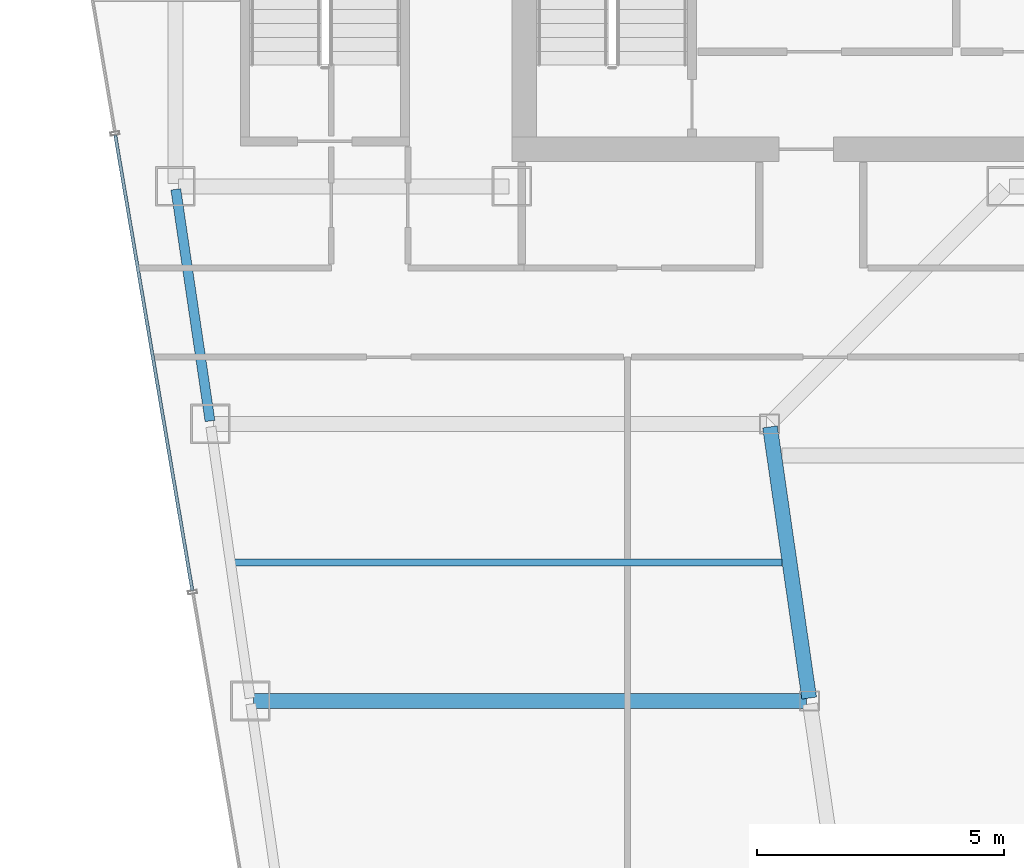
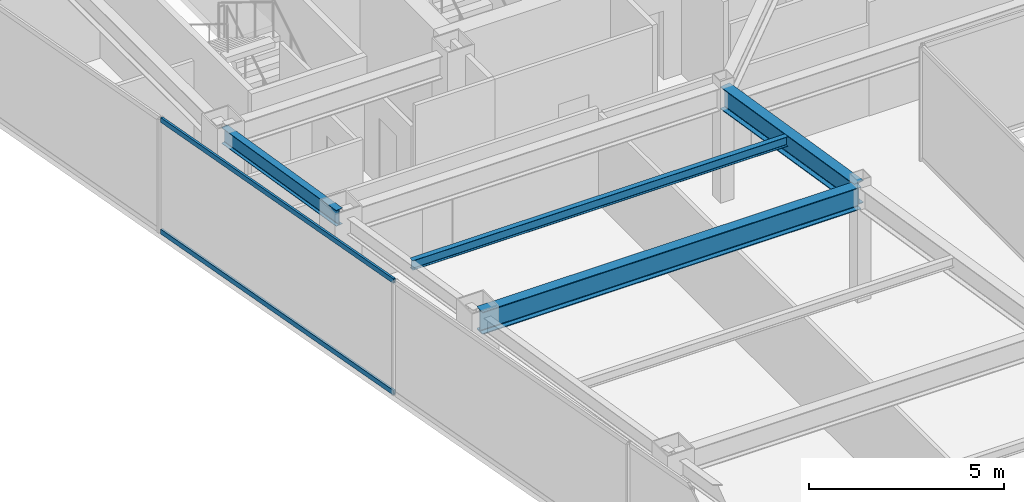
# One storey, part 10 of 35: 4 beams, 2 members, 1 element without a shape of its own.
"""IFC4 building model written with IfcOpenShell, lengths in metres."""

from ifc_helpers import new_model, si_unit, direction, frame, origin, origin_2d, place, context, subcontext, project, spatial, hollow_rectangle, i_section, extrude, material, material_profile, profile_set, type_object, element, aggregate, save


model = new_model("IFC4")

# Units and contexts
model_context = context("Model", 3, precision=1e-05, world=origin(), true_north=direction((0.0, 1.0)))
body_context = subcontext(model_context, "Body", "Model", "MODEL_VIEW")
ifc_project = project(units=[si_unit("LENGTHUNIT", "METRE"), si_unit("AREAUNIT", "SQUARE_METRE"), si_unit("VOLUMEUNIT", "CUBIC_METRE"), si_unit("PLANEANGLEUNIT", "RADIAN"), si_unit("MASSUNIT", "GRAM", prefix="KILO")], contexts=[model_context])

# Site, building, storey
site_placement = place(None, origin())
site = spatial("IfcSite", under=ifc_project, at=site_placement, CompositionType="ELEMENT")
building_placement = place(site_placement, origin())
building = spatial("IfcBuilding", under=site, at=building_placement, Name="Saevonmaru Cultural Tower", CompositionType="ELEMENT")
storey_placement = place(building_placement, frame((0.0, 0.0, 217.0)))
storey = spatial("IfcBuildingStorey", under=building, at=storey_placement, Name="L50", CompositionType="ELEMENT", Elevation=217.0)

# Beams
ifc_material_1 = material(Name="Steel SM355", Category="steel")
ifc_material_profile_1 = material_profile(ifc_material_1, i_section(OverallWidth=0.300048828125, OverallDepth=0.699951171875, WebThickness=0.012939453125, FlangeThickness=0.02392578125, FilletRadius=0.02587890625, at=origin_2d()), Name="H-700x300x13x24")
ifc_profile_set_1 = profile_set([ifc_material_profile_1], Name="Steel SM355")
beam_type_1 = type_object("IfcBeamType", Name="BM-G-H700", PredefinedType="BEAM", material=ifc_profile_set_1)
beam_1_placement = place(storey_placement, frame((19.6083984375, 32.059326171875, 3.199951171875), z_axis=(-0.142964121327, 0.989727871697, 0.0), x_axis=(-0.989727871697, -0.142964121327, 0.0)))
element("IfcBeam", 1, at=beam_1_placement, inside=storey, type_object=beam_type_1, Name="L50 West Atrium Girder 3", PredefinedType="BEAM", context=body_context, shape_type="SweptSolid", body=[
    extrude(i_section(OverallWidth=0.300048828125, OverallDepth=0.699951171875, WebThickness=0.012939453125, FlangeThickness=0.02392578125, FilletRadius=0.02587890625, at=origin_2d()), origin(), (0.0, 0.0, 1.0), 5.5380859375),
])
beam_2_placement = place(storey_placement, frame((8.376953125, 32.0, 3.199951171875), z_axis=(1.0, 0.0, 0.0), x_axis=(0.0, 1.0, 0.0)))
element("IfcBeam", 2, at=beam_2_placement, inside=storey, type_object=beam_type_1, Name="L50 West Wing Transverse Girder 3", PredefinedType="BEAM", context=body_context, shape_type="SweptSolid", body=[
    extrude(i_section(OverallWidth=0.300048828125, OverallDepth=0.699951171875, WebThickness=0.012939453125, FlangeThickness=0.02392578125, FilletRadius=0.02587890625, at=origin_2d()), origin(), (0.0, 0.0, 1.0), 11.179931640625),
])
ifc_material_profile_2 = material_profile(ifc_material_1, i_section(OverallWidth=0.14990234375, OverallDepth=0.300048828125, WebThickness=0.006591796875, FlangeThickness=0.009033203125, FilletRadius=0.012939453125, at=origin_2d()), Name="H-300x150x6.5x9")
ifc_profile_set_2 = profile_set([ifc_material_profile_2], Name="Steel SM355")
beam_type_2 = type_object("IfcBeamType", Name="BM-J-H300", PredefinedType="JOIST", material=ifc_profile_set_2)
beam_3_placement = place(storey_placement, frame((7.972412109375, 34.800048828125, 3.39990234375), z_axis=(1.0, 0.0, 0.0), x_axis=(0.0, 1.0, 0.0)))
element("IfcBeam", 3, at=beam_3_placement, inside=storey, type_object=beam_type_2, Name="L50 West Wing Floor Joist 3", PredefinedType="JOIST", context=body_context, shape_type="SweptSolid", body=[
    extrude(i_section(OverallWidth=0.14990234375, OverallDepth=0.300048828125, WebThickness=0.006591796875, FlangeThickness=0.009033203125, FilletRadius=0.012939453125, at=origin_2d()), origin(), (0.0, 0.0, 1.0), 11.08203125),
])
ifc_material_profile_3 = material_profile(ifc_material_1, i_section(OverallWidth=0.199951171875, OverallDepth=0.5, WebThickness=0.010009765625, FlangeThickness=0.01611328125, FilletRadius=0.02001953125, at=origin_2d()), Name="H-500x200x10x16")
ifc_profile_set_3 = profile_set([ifc_material_profile_3], Name="Steel SM355")
beam_type_3 = type_object("IfcBeamType", Name="BM-SP-H500", PredefinedType="SPANDREL", material=ifc_profile_set_3)
beam_4_placement = place(storey_placement, frame((7.499267578125, 37.659423828125, 3.300048828125), z_axis=(-0.145912860028, 0.989297446312, 0.0), x_axis=(-0.989297446312, -0.145912860028, 0.0)))
element("IfcBeam", 4, at=beam_4_placement, inside=storey, type_object=beam_type_3, Name="L50 West Splayed Spandrel 4", PredefinedType="SPANDREL", context=body_context, shape_type="SweptSolid", body=[
    extrude(i_section(OverallWidth=0.199951171875, OverallDepth=0.5, WebThickness=0.010009765625, FlangeThickness=0.01611328125, FilletRadius=0.02001953125, at=origin_2d()), origin(), (0.0, 0.0, 1.0), 4.731689453125),
])

# Curtain wall, members
ifc_material_2 = material(Name="Satin Bronze Anodised Aluminium", Category="aluminium")
curtain_wall_type = type_object("IfcCurtainWallType", Name="CW-TYP-B", PredefinedType="NOTDEFINED", material=ifc_material_2)
curtain_wall_placement = place(storey_placement, origin())
curtain_wall = element("IfcCurtainWall", 5, at=curtain_wall_placement, inside=storey, type_object=curtain_wall_type, Name="L50 Unitised Curtain Wall E12", PredefinedType="NOTDEFINED")
ifc_material_profile_4 = material_profile(ifc_material_2, hollow_rectangle(XDim=0.06494140625, YDim=0.14990234375, WallThickness=0.00390625, at=origin_2d()), Name="ALU-TRAN-150x65x4")
ifc_profile_set_4 = profile_set([ifc_material_profile_4], Name="Satin Bronze Anodised Aluminium")
member_type = type_object("IfcMemberType", Name="TR-CW-150x65", PredefinedType="USERDEFINED", material=ifc_profile_set_4)
member_1_placement = place(storey_placement, frame((5.5849609375, 43.4384765625, 0.032470703125), z_axis=(0.166916960754, -0.985970957084, 0.0), x_axis=(0.985970957084, 0.166916960754, 0.0)))
member_1 = element("IfcMember", 6, at=member_1_placement, type_object=member_type, Name="CW-TW-L50-E12 transom 2.1", ObjectType="TRANSOM", PredefinedType="USERDEFINED", context=body_context, shape_type="SweptSolid", body=[
    extrude(hollow_rectangle(XDim=0.06494140625, YDim=0.14990234375, WallThickness=0.00390625, at=origin_2d()), origin(), (0.0, 0.0, 1.0), 9.337646484375),
])
member_2_placement = place(storey_placement, frame((5.5849609375, 43.4384765625, 3.517578125), z_axis=(0.166916960754, -0.985970957084, 0.0), x_axis=(0.985970957084, 0.166916960754, 0.0)))
member_2 = element("IfcMember", 7, at=member_2_placement, type_object=member_type, Name="CW-TW-L50-E12 transom 2.2", ObjectType="TRANSOM", PredefinedType="USERDEFINED", context=body_context, shape_type="SweptSolid", body=[
    extrude(hollow_rectangle(XDim=0.06494140625, YDim=0.14990234375, WallThickness=0.00390625, at=origin_2d()), origin(), (0.0, 0.0, 1.0), 9.337646484375),
])
aggregate(curtain_wall, [member_1, member_2])

save(model, "model.ifc")
